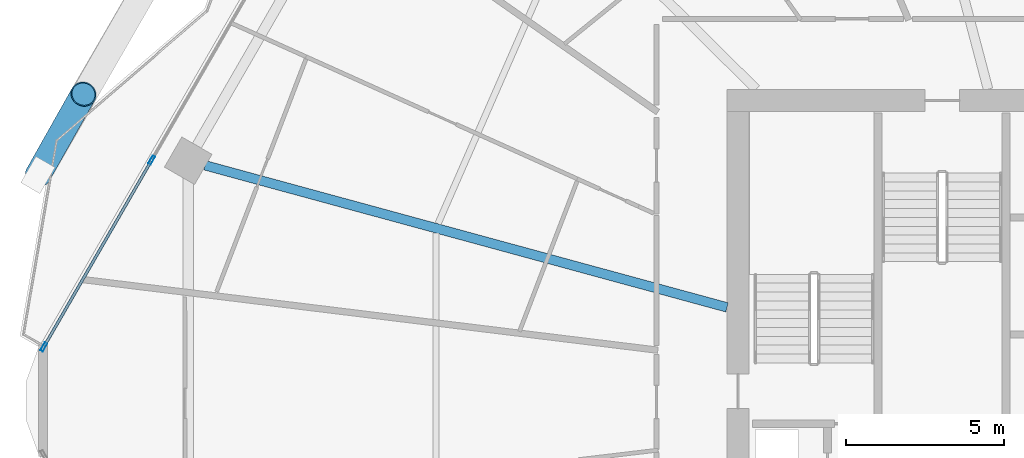
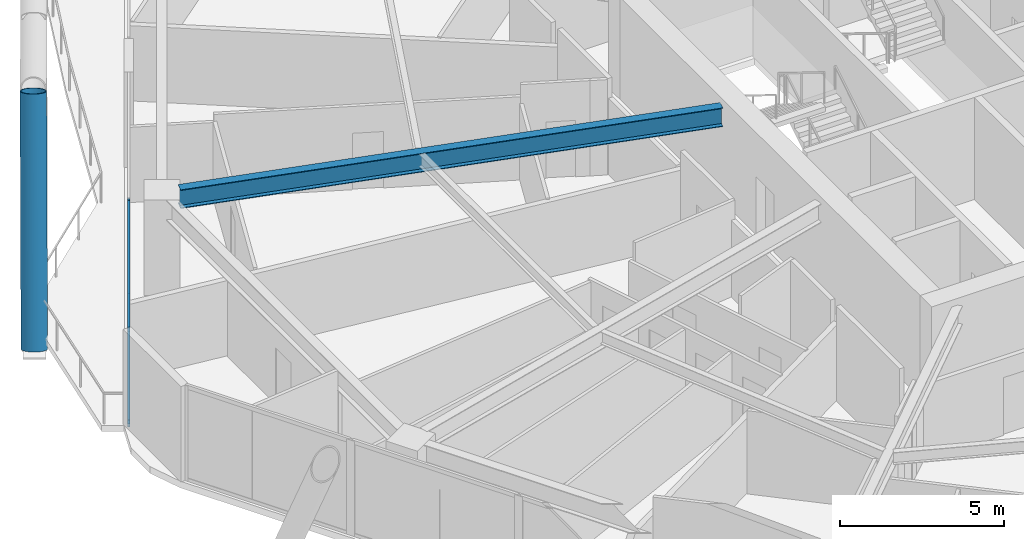
# One storey, part 15 of 36: 5 members, 1 beam, 1 element without a shape of its own.
"""IFC4 building model written with IfcOpenShell, lengths in metres."""

from ifc_helpers import new_model, si_unit, direction, frame, origin, origin_2d, place, context, subcontext, project, spatial, hollow_rectangle, hollow_circle, i_section, extrude, material, material_profile, profile_set, type_object, element, aggregate, save


model = new_model("IFC4")

# Units and contexts
model_context = context("Model", 3, precision=1e-05, world=origin(), true_north=direction((0.0, 1.0)))
body_context = subcontext(model_context, "Body", "Model", "MODEL_VIEW")
ifc_project = project(units=[si_unit("LENGTHUNIT", "METRE"), si_unit("AREAUNIT", "SQUARE_METRE"), si_unit("VOLUMEUNIT", "CUBIC_METRE"), si_unit("PLANEANGLEUNIT", "RADIAN"), si_unit("MASSUNIT", "GRAM", prefix="KILO")], contexts=[model_context])

# Site, building, storey
site_placement = place(None, origin())
site = spatial("IfcSite", under=ifc_project, at=site_placement, CompositionType="ELEMENT")
building_placement = place(site_placement, origin())
building = spatial("IfcBuilding", under=site, at=building_placement, Name="Zuhravey Tower", CompositionType="ELEMENT")
storey_placement = place(building_placement, frame((0.0, 0.0, 107.60009765625)))
storey = spatial("IfcBuildingStorey", under=building, at=storey_placement, Name="L26", CompositionType="ELEMENT", Elevation=107.60009765625)

# Curtain wall, members
ifc_material_1 = material(Name="Thermally broken anodised aluminium", Category="aluminium")
curtain_wall_type = type_object("IfcCurtainWallType", Name="Zone 1-2 Residential Curtain Wall CW3", PredefinedType="NOTDEFINED", material=ifc_material_1)
curtain_wall_placement = place(storey_placement, origin())
curtain_wall = element("IfcCurtainWall", 1, at=curtain_wall_placement, inside=storey, type_object=curtain_wall_type, Name="L26 CW3 CW-L26-F3-1", PredefinedType="NOTDEFINED")
ifc_material_2 = material(Name="Anodised aluminium", Category="aluminium")
ifc_material_profile_1 = material_profile(ifc_material_2, hollow_rectangle(XDim=0.090087890625, YDim=0.284912109375, WallThickness=0.0048828125, at=origin_2d()), Name="ALU-RHS-90x285x5")
ifc_profile_set_1 = profile_set([ifc_material_profile_1], Name="Anodised aluminium")
member_type_1 = type_object("IfcMemberType", Name="Curtain-Wall Mullion 90x180", PredefinedType="MULLION", material=ifc_profile_set_1)
member_1_placement = place(storey_placement, frame((3.5439453125, 33.701416015625, 0.0), z_axis=(0.0, 0.0, 1.0), x_axis=(-0.86602628212, 0.499998478675, 0.0)))
member_1 = element("IfcMember", 2, at=member_1_placement, type_object=member_type_1, Name="CW3 mullion 1", PredefinedType="MULLION", context=body_context, shape_type="SweptSolid", body=[
    extrude(hollow_rectangle(XDim=0.090087890625, YDim=0.284912109375, WallThickness=0.0048828125, at=origin_2d()), origin(), (0.0, 0.0, 1.0), 3.5498046875),
])
member_2_placement = place(storey_placement, frame((6.95556640625, 39.6103515625, 0.0), z_axis=(0.0, 0.0, 1.0), x_axis=(-0.86602628212, 0.499998478675, 0.0)))
member_2 = element("IfcMember", 3, at=member_2_placement, type_object=member_type_1, Name="CW3 mullion 2", PredefinedType="MULLION", context=body_context, shape_type="SweptSolid", body=[
    extrude(hollow_rectangle(XDim=0.090087890625, YDim=0.284912109375, WallThickness=0.0048828125, at=origin_2d()), origin(), (0.0, 0.0, 1.0), 3.5498046875),
])
ifc_material_profile_2 = material_profile(ifc_material_2, hollow_rectangle(XDim=0.090087890625, YDim=0.14990234375, WallThickness=0.0048828125, at=origin_2d()), Name="ALU-RHS-90x150x5")
ifc_profile_set_2 = profile_set([ifc_material_profile_2], Name="Anodised aluminium")
member_type_2 = type_object("IfcMemberType", Name="Curtain-Wall Transom 90x150", PredefinedType="USERDEFINED", material=ifc_profile_set_2)
member_3_placement = place(storey_placement, frame((3.56640625, 33.740478515625, 0.044921875), z_axis=(0.500003903162, 0.866023150281, 0.0), x_axis=(-0.866023150281, 0.500003903162, 0.0)))
member_3 = element("IfcMember", 4, at=member_3_placement, type_object=member_type_2, Name="CW3 transom 1.1", ObjectType="TRANSOM", PredefinedType="USERDEFINED", context=body_context, shape_type="SweptSolid", body=[
    extrude(hollow_rectangle(XDim=0.090087890625, YDim=0.14990234375, WallThickness=0.0048828125, at=origin_2d()), origin(), (0.0, 0.0, 1.0), 6.73291015625),
])
member_4_placement = place(storey_placement, frame((3.56640625, 33.740478515625, 3.5048828125), z_axis=(0.500003903162, 0.866023150281, 0.0), x_axis=(-0.866023150281, 0.500003903162, 0.0)))
member_4 = element("IfcMember", 5, at=member_4_placement, type_object=member_type_2, Name="CW3 transom 1.2", ObjectType="TRANSOM", PredefinedType="USERDEFINED", context=body_context, shape_type="SweptSolid", body=[
    extrude(hollow_rectangle(XDim=0.090087890625, YDim=0.14990234375, WallThickness=0.0048828125, at=origin_2d()), origin(), (0.0, 0.0, 1.0), 6.73291015625),
])
aggregate(curtain_wall, [member_1, member_2, member_3, member_4])

# Member
ifc_material_3 = material(Name="Steel SM460", Category="steel")
ifc_material_profile_3 = material_profile(ifc_material_3, hollow_circle(Radius=0.406494140625, WallThickness=0.035888671875, at=origin_2d()), Name="CHS-812.8x36")
ifc_profile_set_3 = profile_set([ifc_material_profile_3], Name="Steel SM460")
member_type_3 = type_object("IfcMemberType", Name="Exoskeleton Zone 1 Diagrid CHS813x36", PredefinedType="BRACE", material=ifc_profile_set_3)
member_5_placement = place(storey_placement, frame((3.36279296875, 39.14794921875, -0.442138671875), z_axis=(0.177374572946, 0.314555892909, 0.932519625053), x_axis=(-0.871058104172, 0.491179986519, 0.0)))
element("IfcMember", 6, at=member_5_placement, inside=storey, type_object=member_type_3, Name="L26 Face 3 Diagrid Brace 4", PredefinedType="BRACE", context=body_context, shape_type="SweptSolid", body=[
    extrude(hollow_circle(Radius=0.406494140625, WallThickness=0.035888671875, at=origin_2d()), origin(), (0.0, 0.0, 1.0), 8.10302734375),
])

# Beam
ifc_material_4 = material(Name="Steel SM355", Category="steel")
ifc_material_profile_4 = material_profile(ifc_material_4, i_section(OverallWidth=0.300048828125, OverallDepth=0.699951171875, WebThickness=0.012939453125, FlangeThickness=0.02392578125, at=origin_2d()), Name="H-700x300x13x24")
ifc_profile_set_4 = profile_set([ifc_material_profile_4], Name="Steel SM355")
beam_type = type_object("IfcBeamType", Name="Radial Primary Girder H700x300", PredefinedType="BEAM", material=ifc_profile_set_4)
beam_placement = place(storey_placement, frame((25.14697265625, 34.954345703125, 3.199951171875), z_axis=(-0.964893166225, 0.262642680791, 0.0), x_axis=(-0.262642680791, -0.964893166225, 0.0)))
element("IfcBeam", 7, at=beam_placement, inside=storey, type_object=beam_type, Name="L26 RG1 BM-L26-RAD-06", PredefinedType="BEAM", context=body_context, shape_type="SweptSolid", body=[
    extrude(i_section(OverallWidth=0.300048828125, OverallDepth=0.699951171875, WebThickness=0.012939453125, FlangeThickness=0.02392578125, at=origin_2d()), origin(), (0.0, 0.0, 1.0), 17.102783203125),
])

save(model, "model.ifc")
